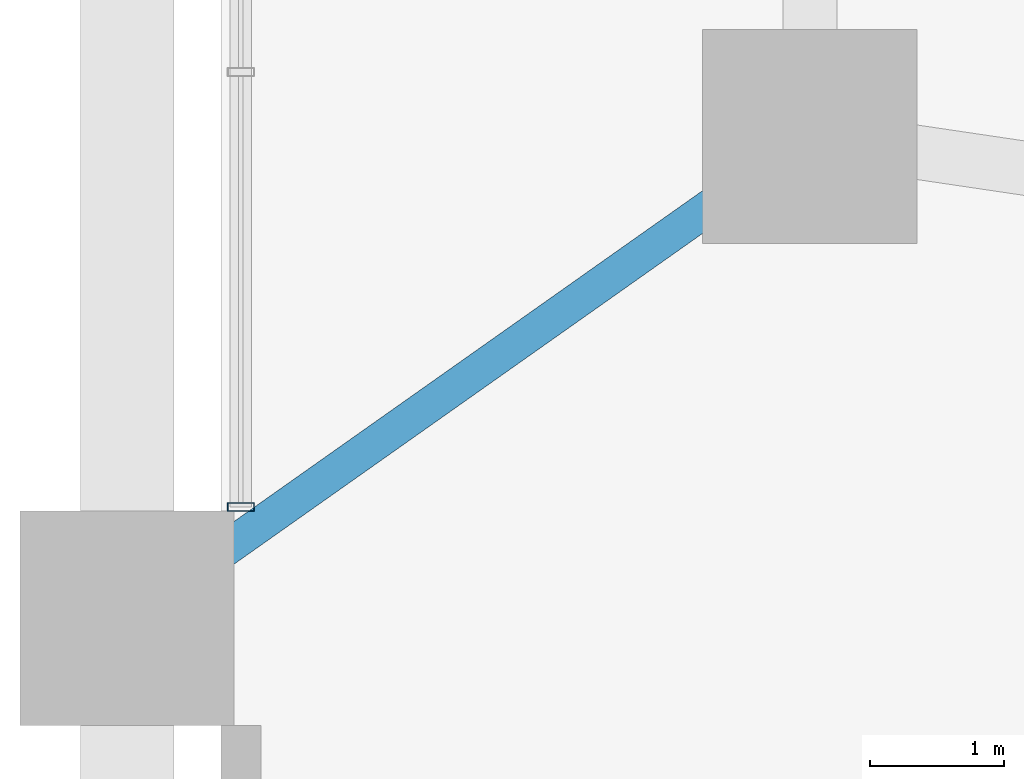
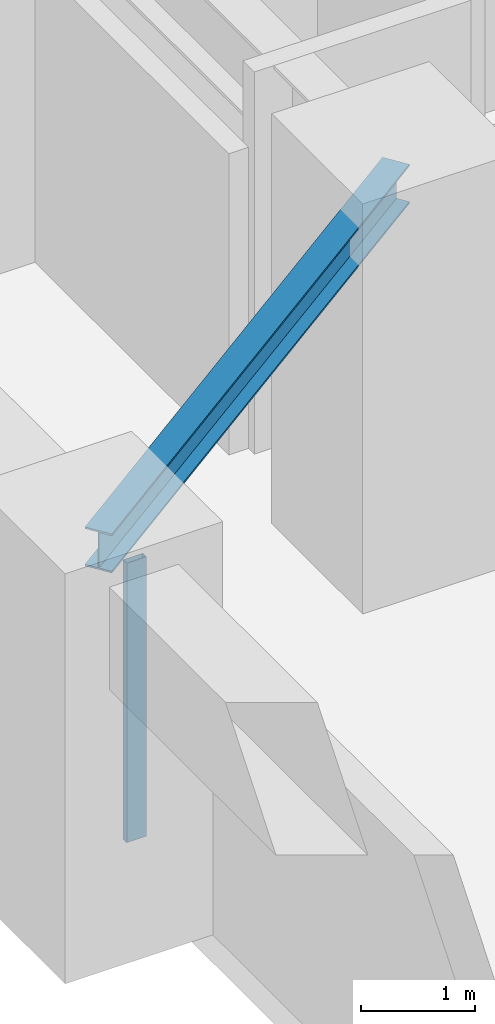
# One storey, part 2 of 22: 1 beam, 1 member, 1 element without a shape of its own.
"""IFC4 building model written with IfcOpenShell, lengths in metres."""

import ifcopenshell
import ifcopenshell.guid

model = None  # the IFC model being written
_history = None  # IfcOwnerHistory: only IFC2X3 demands one
_inside = {}  # id of a spatial element -> (the spatial element, [elements in it])
_under = {}  # id of a project, library or spatial element -> (it, [spatial elements below it])
_declared = {}  # id of a project -> (the project, [libraries it declares])
_typed = {}  # id of a type object -> (the type object, [elements of that type])
_made_of = {}  # id of a material, layer set ... -> (it, [elements and type objects made of it])


def new_model(schema):
    """Start an empty IFC model of exactly this schema.

    Asked for "IFC4X3", IfcOpenShell would pick the latest addendum, in which some entities
    have other attributes; the version numbers below select the first issue.
    IFC2X3 requires an IfcOwnerHistory on every rooted entity: one is made here for all.
    """
    global model, _history
    if schema == "IFC4X3":
        model = ifcopenshell.file(schema_version=(4, 3, 0, 0))
    else:
        model = ifcopenshell.file(schema=schema)
    _inside.clear()
    _under.clear()
    _declared.clear()
    _typed.clear()
    _made_of.clear()
    _history = None
    if model.schema == "IFC2X3":
        org = make("IfcOrganization", Name="unknown")
        user = make(
            "IfcPersonAndOrganization",
            ThePerson=make("IfcPerson", FamilyName="unknown"),
            TheOrganization=org,
        )
        app = make(
            "IfcApplication",
            ApplicationDeveloper=org,
            Version="unknown",
            ApplicationFullName="unknown",
            ApplicationIdentifier="unknown",
        )
        _history = make(
            "IfcOwnerHistory",
            OwningUser=user,
            OwningApplication=app,
            ChangeAction="ADDED",
            CreationDate=0,
        )
    return model


def make(cls, **values):
    """One entity of the class cls with the attributes given. An attribute that is None is left unset."""
    return model.create_entity(
        cls, **{name: value for name, value in values.items() if value is not None}
    )


def rooted(cls, **values):
    """An entity with a GlobalId (a new one), such as an element, a storey or a relation."""
    return make(cls, GlobalId=ifcopenshell.guid.new(), OwnerHistory=_history, **values)


def si_unit(unit_type, name, prefix=None):
    """IfcSIUnit, for example si_unit("LENGTHUNIT", "METRE", prefix="MILLI")."""
    return make("IfcSIUnit", UnitType=unit_type, Prefix=prefix, Name=name)


def assignment(units):
    """IfcUnitAssignment: the units of a project."""
    return None if units is None else make("IfcUnitAssignment", Units=units)


def point(xyz):
    """IfcCartesianPoint."""
    return None if xyz is None else make("IfcCartesianPoint", Coordinates=xyz)


def direction(xyz):
    """IfcDirection."""
    return None if xyz is None else make("IfcDirection", DirectionRatios=xyz)


def frame(location, z_axis=None, x_axis=None):
    """IfcAxis2Placement3D, a coordinate frame: its origin and axes. An axis left out is left unset."""
    return make(
        "IfcAxis2Placement3D",
        Location=point(location),
        Axis=direction(z_axis),
        RefDirection=direction(x_axis),
    )


def frame_2d(location, x_axis=None):
    """IfcAxis2Placement2D, a coordinate frame in the plane: its origin and x axis."""
    return make(
        "IfcAxis2Placement2D", Location=point(location), RefDirection=direction(x_axis)
    )


def origin():
    """The frame at (0, 0, 0) with its axes left unset."""
    return frame((0.0, 0.0, 0.0))


def origin_2d():
    """The frame at (0, 0) in the plane with its x axis left unset."""
    return frame_2d((0.0, 0.0))


def place(relative_to, where):
    """IfcLocalPlacement: puts the frame where relative to a parent placement (None: the world)."""
    return make(
        "IfcLocalPlacement", PlacementRelTo=relative_to, RelativePlacement=where
    )


def context(
    kind, dimensions, precision=None, world=None, true_north=None, identifier=None
):
    """IfcGeometricRepresentationContext, for example the 3D "Model" context."""
    return make(
        "IfcGeometricRepresentationContext",
        ContextIdentifier=identifier,
        ContextType=kind,
        CoordinateSpaceDimension=dimensions,
        Precision=precision,
        WorldCoordinateSystem=world,
        TrueNorth=true_north,
    )


def subcontext(parent, identifier, kind, view, scale=None):
    """IfcGeometricRepresentationSubContext, for example "Body" below "Model"."""
    return make(
        "IfcGeometricRepresentationSubContext",
        ContextIdentifier=identifier,
        ContextType=kind,
        ParentContext=parent,
        TargetScale=scale,
        TargetView=view,
    )


def project(units=None, contexts=None):
    """IfcProject with its units and contexts."""
    return rooted(
        "IfcProject",
        Name="project",
        RepresentationContexts=contexts,
        UnitsInContext=assignment(units),
    )


def spatial(cls, under=None, at=None, **own):
    """A site, building, storey or space (cls), placed at a placement, below another one or the project."""
    s = rooted(cls, ObjectPlacement=at, **own)
    if under is not None:
        _under.setdefault(under.id(), (under, []))[1].append(s)
    return s


def profile(cls, at=None, kind="AREA", **sizes):
    """A parametric profile (cls). Its sizes go by their IFC names, for example OverallWidth=200.0."""
    return make(cls, ProfileType=kind, Position=at, **sizes)


def hollow_rectangle(**sizes):
    """IfcRectangleHollowProfileDef."""
    return profile("IfcRectangleHollowProfileDef", **sizes)


def i_section(**sizes):
    """IfcIShapeProfileDef."""
    return profile("IfcIShapeProfileDef", **sizes)


def extrude(swept, where, along, depth):
    """IfcExtrudedAreaSolid: the profile swept, set in the frame where, extruded along a direction by depth."""
    return make(
        "IfcExtrudedAreaSolid",
        SweptArea=swept,
        Position=where,
        ExtrudedDirection=direction(along),
        Depth=depth,
    )


def shape(context_of_items, identifier, shape_type, items):
    """IfcShapeRepresentation: the items that make up one representation, for example the "Body"."""
    return make(
        "IfcShapeRepresentation",
        ContextOfItems=context_of_items,
        RepresentationIdentifier=identifier,
        RepresentationType=shape_type,
        Items=items,
    )


def source(mapping_origin, context_of_items, identifier, shape_type, items):
    """IfcRepresentationMap: a shape defined once, which mapped items show again and again."""
    return make(
        "IfcRepresentationMap",
        MappingOrigin=mapping_origin,
        MappedRepresentation=shape(context_of_items, identifier, shape_type, items),
    )


def transform(
    local_origin,
    x_axis=None,
    y_axis=None,
    z_axis=None,
    scale=None,
    scale2=None,
    scale3=None,
    uniform=True,
):
    """IfcCartesianTransformationOperator3D, or its non-uniform kind. x_axis, y_axis, z_axis: its Axis1, 2, 3."""
    if uniform:
        return make(
            "IfcCartesianTransformationOperator3D",
            Axis1=direction(x_axis),
            Axis2=direction(y_axis),
            LocalOrigin=point(local_origin),
            Scale=scale,
            Axis3=direction(z_axis),
        )
    return make(
        "IfcCartesianTransformationOperator3DnonUniform",
        Axis1=direction(x_axis),
        Axis2=direction(y_axis),
        LocalOrigin=point(local_origin),
        Scale=scale,
        Axis3=direction(z_axis),
        Scale2=scale2,
        Scale3=scale3,
    )


def mapped(mapping_source, mapping_target):
    """IfcMappedItem: shows the shape of a source again, moved by a transform."""
    return make(
        "IfcMappedItem", MappingSource=mapping_source, MappingTarget=mapping_target
    )


def material(Name=None, Category=None):
    """IfcMaterial."""
    return make("IfcMaterial", Name=Name, Category=Category)


def layer(
    of_material, thickness, ventilated=None, Name=None, Category=None, Priority=None
):
    """IfcMaterialLayer: one layer of a wall or slab, of a material (None: an air gap)."""
    return make(
        "IfcMaterialLayer",
        Material=of_material,
        LayerThickness=thickness,
        IsVentilated=ventilated,
        Name=Name,
        Category=Category,
        Priority=Priority,
    )


def layer_set(layers, Name=None):
    """IfcMaterialLayerSet."""
    return make("IfcMaterialLayerSet", MaterialLayers=layers, LayerSetName=Name)


def material_profile(
    of_material, cross_section, Name=None, Category=None, Priority=None
):
    """IfcMaterialProfile: a cross section and its material."""
    return make(
        "IfcMaterialProfile",
        Name=Name,
        Material=of_material,
        Profile=cross_section,
        Priority=Priority,
        Category=Category,
    )


def profile_set(profiles, Name=None, composite=None):
    """IfcMaterialProfileSet."""
    return make(
        "IfcMaterialProfileSet",
        Name=Name,
        MaterialProfiles=profiles,
        CompositeProfile=composite,
    )


def made_of(thing, what):
    """Note that an element or type object is made of a material, layer set ...; save() writes the relation."""
    if what is not None:
        _made_of.setdefault(what.id(), (what, []))[1].append(thing)
    return thing


def type_object(cls, material=None, **own):
    """A type object (cls), such as IfcWallType, which elements share."""
    return made_of(rooted(cls, **own), material)


def element(
    cls,
    number,
    at=None,
    inside=None,
    cuts=None,
    type_object=None,
    material=None,
    context=None,
    identifier="Body",
    shape_type=None,
    held_by="IfcProductDefinitionShape",
    body=None,
    shapes=None,
    **own,
):
    """One element of the class cls, such as IfcWall. Its Tag is "e" and its number.

    at: its placement. inside: the storey or other place that contains it. cuts: it is an
    opening in that element (IfcRelVoidsElement). A single representation is given by context,
    identifier, shape_type and body (its items); several are given by shapes. held_by: the class
    of the entity that holds the representations. save() writes the other relations.
    """
    e = rooted(cls, Tag="e%d" % number, ObjectPlacement=at, **own)
    if body is not None:
        shapes = [shape(context, identifier, shape_type, body)]
    if shapes is not None:
        e.Representation = make(held_by, Representations=shapes)
    if inside is not None:
        _inside.setdefault(inside.id(), (inside, []))[1].append(e)
    if cuts is not None:
        rooted(
            "IfcRelVoidsElement", RelatingBuildingElement=cuts, RelatedOpeningElement=e
        )
    if type_object is not None:
        _typed.setdefault(type_object.id(), (type_object, []))[1].append(e)
    return made_of(e, material)


def aggregate(whole, parts):
    """IfcRelAggregates: a whole, such as a stair, and the parts it consists of."""
    return rooted("IfcRelAggregates", RelatingObject=whole, RelatedObjects=parts)


def save(model, path):
    """Write the relations noted so far, then the file.

    IfcRelAggregates (storeys below a building ...), IfcRelContainedInSpatialStructure (elements
    in a storey), IfcRelDefinesByType, IfcRelAssociatesMaterial and IfcRelDeclares: one each for
    every whole, place, type object, material and project.
    """
    for whole, parts in _under.values():
        aggregate(whole, parts)
    for where, things in _inside.values():
        rooted(
            "IfcRelContainedInSpatialStructure",
            RelatedElements=things,
            RelatingStructure=where,
        )
    for kind, things in _typed.values():
        rooted("IfcRelDefinesByType", RelatedObjects=things, RelatingType=kind)
    for what, things in _made_of.values():
        rooted("IfcRelAssociatesMaterial", RelatedObjects=things, RelatingMaterial=what)
    for by, libraries in _declared.values():
        rooted("IfcRelDeclares", RelatingContext=by, RelatedDefinitions=libraries)
    model.write(path)


model = new_model("IFC4")

# Units and contexts
model_context = context("Model", 3, precision=1e-05, world=origin(), true_north=direction((0.0, 1.0)))
body_context = subcontext(model_context, "Body", "Model", "MODEL_VIEW")
ifc_project = project(units=[si_unit("LENGTHUNIT", "METRE"), si_unit("AREAUNIT", "SQUARE_METRE"), si_unit("VOLUMEUNIT", "CUBIC_METRE"), si_unit("PLANEANGLEUNIT", "RADIAN"), si_unit("MASSUNIT", "GRAM", prefix="KILO")], contexts=[model_context])

# Site, building, storey
site_placement = place(None, origin())
site = spatial("IfcSite", under=ifc_project, at=site_placement, CompositionType="ELEMENT")
building_placement = place(site_placement, origin())
building = spatial("IfcBuilding", under=site, at=building_placement, Name="Veraguas Prism Commons", CompositionType="ELEMENT")
storey_placement = place(building_placement, frame((0.0, 0.0, 5.199951171875)))
storey = spatial("IfcBuildingStorey", under=building, at=storey_placement, Name="L01", CompositionType="ELEMENT", Elevation=5.199951171875)

# Beam
ifc_material_1 = material(Name="Steel ASTM A992 Grade 50", Category="steel")
ifc_material_profile_1 = material_profile(ifc_material_1, i_section(OverallWidth=0.260986328125, OverallDepth=0.419921875, WebThickness=0.01171875, FlangeThickness=0.019287109375, at=origin_2d()), Name="W410X114")
ifc_profile_set_1 = profile_set([ifc_material_profile_1], Name="Steel ASTM A992 Grade 50")
beam_type = type_object("IfcBeamType", Name="Lower Floor Joist W410x114", PredefinedType="JOIST", material=ifc_profile_set_1)
beam_placement = place(storey_placement, frame((6.39990234375, 18.60009765625, 3.89013671875), z_axis=(-0.816952688962, -0.576704693927, 0.0), x_axis=(0.576704693927, -0.816952688962, 0.0)))
element("IfcBeam", 1, at=beam_placement, inside=storey, type_object=beam_type, Name="Podium Tie Beam L01-TMT06", PredefinedType="JOIST", context=body_context, shape_type="SweptSolid", body=[
    extrude(i_section(OverallWidth=0.260986328125, OverallDepth=0.419921875, WebThickness=0.01171875, FlangeThickness=0.019287109375, at=origin_2d()), origin(), (0.0, 0.0, 1.0), 6.242431640625),
])

# Curtain wall, member
ifc_material_2 = material(Name="Anodised aluminium EN AW-6063 T6", Category="aluminium")
ifc_layer = layer(ifc_material_2, 0.199951171875, Name="Metro Concourse Structural Glazing", Category="aluminium")
ifc_layer_set = layer_set([ifc_layer], Name="Anodised aluminium EN AW-6063 T6")
curtain_wall_type = type_object("IfcCurtainWallType", Name="Metro Concourse Structural Glazing", PredefinedType="NOTDEFINED", material=ifc_layer_set)
curtain_wall_placement = place(storey_placement, origin())
curtain_wall = element("IfcCurtainWall", 2, at=curtain_wall_placement, inside=storey, type_object=curtain_wall_type, Name="Via Espana Metro Concourse Curtain Wall L01-W02", PredefinedType="NOTDEFINED")
ifc_material_profile_2 = material_profile(ifc_material_2, hollow_rectangle(XDim=0.06494140625, YDim=0.199951171875, WallThickness=0.00390625, at=origin_2d()), Name="AL65X200X4")
ifc_profile_set_2 = profile_set([ifc_material_profile_2], Name="Anodised aluminium EN AW-6063 T6")
member_type = type_object("IfcMemberType", Name="Curtain Wall Mullion Heavy AL 65x200x4", PredefinedType="MULLION", material=ifc_profile_set_2)
shared_shape = source(origin(), body_context, "Body", "SweptSolid", [
    extrude(hollow_rectangle(XDim=0.06494140625, YDim=0.199951171875, WallThickness=0.00390625, at=origin_2d()), origin(), (0.0, 0.0, 1.0), 3.0),
])
member_placement = place(storey_placement, frame((2.14990234375, 15.83251953125, 0.0), z_axis=(0.0, 0.0, 1.0), x_axis=(0.0, -1.0, 0.0)))
member = element("IfcMember", 3, at=member_placement, type_object=member_type, Name="CW-STN Mullion 6", PredefinedType="MULLION", context=body_context, shape_type="MappedRepresentation", body=[
    mapped(shared_shape, transform((0.0, 0.0, 0.0), scale=1.0)),
])
aggregate(curtain_wall, [member])

save(model, "model.ifc")
